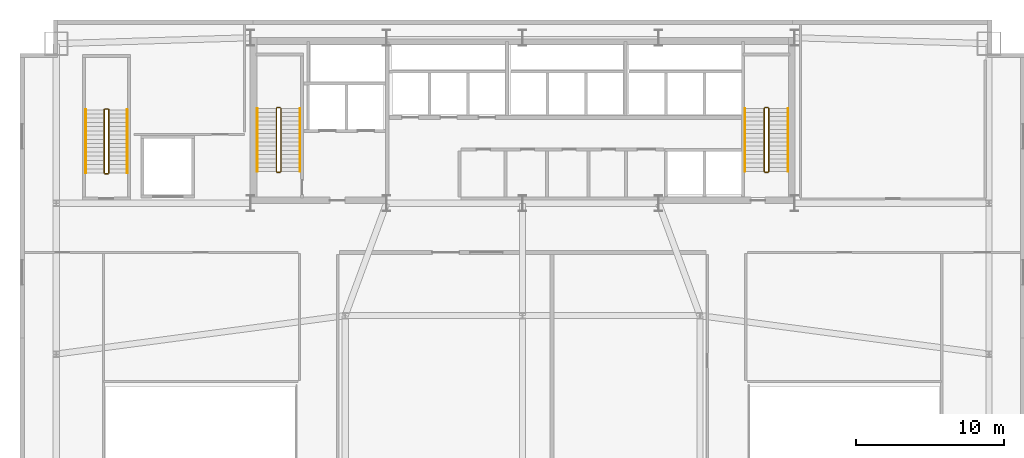
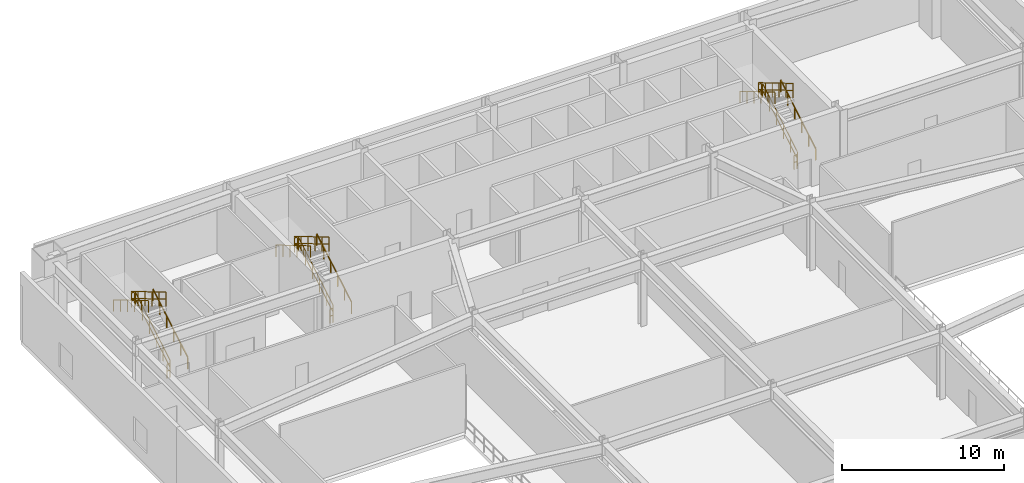
# One storey, part 13 of 13: 18 railings.
"""IFC4 building model written with IfcOpenShell, lengths in metres."""

from ifc_helpers import new_model, si_unit, direction, frame, origin, origin_2d, place, context, subcontext, project, spatial, rectangle, extrude, material, type_object, element, save


model = new_model("IFC4")

# Units and contexts
model_context = context("Model", 3, precision=1e-05, world=origin(), true_north=direction((0.0, 1.0)))
body_context = subcontext(model_context, "Body", "Model", "MODEL_VIEW")
ifc_project = project(units=[si_unit("LENGTHUNIT", "METRE"), si_unit("AREAUNIT", "SQUARE_METRE"), si_unit("VOLUMEUNIT", "CUBIC_METRE"), si_unit("PLANEANGLEUNIT", "RADIAN"), si_unit("MASSUNIT", "GRAM", prefix="KILO")], contexts=[model_context])

# Site, building, storey
site_placement = place(None, origin())
site = spatial("IfcSite", under=ifc_project, at=site_placement, CompositionType="ELEMENT")
building_placement = place(site_placement, origin())
building = spatial("IfcBuilding", under=site, at=building_placement, Name="Varnel Quay Broadcast Tower", CompositionType="ELEMENT")
storey_placement = place(building_placement, frame((0.0, 0.0, 16.800048828125)))
storey = spatial("IfcBuildingStorey", under=building, at=storey_placement, Name="L03", CompositionType="ELEMENT", Elevation=16.800048828125)

# Railings
ifc_material = material(Name="Painted Steel Guard and Handrail CSA G40.21 350W", Category="steel")
railing_type_1 = type_object("IfcRailingType", Name="Rail_StairGuard1100", PredefinedType="GUARDRAIL", material=ifc_material)
railing_1_placement = place(storey_placement, frame((17.64990234375, 37.75, 0.168701171875)))
element("IfcRailing", 1, at=railing_1_placement, inside=storey, type_object=railing_type_1, Name="L03 ST-01 stair guard 1", PredefinedType="GUARDRAIL", context=body_context, shape_type="SweptSolid", body=[
    extrude(rectangle(XDim=0.048095703125, YDim=0.048095703125, at=origin_2d()), frame((0.0, 0.0, 1.076171875), z_axis=(0.0, 0.860470286479, 0.509500624227), x_axis=(-1.0, 0.0, 0.0)), (0.0, 0.0, 1.0), 4.968017578125),
    extrude(rectangle(XDim=0.048095703125, YDim=0.048095703125, at=origin_2d()), frame((0.0, 0.0, 0.550048828125), z_axis=(0.0, 0.860470286479, 0.509500624227), x_axis=(-1.0, 0.0, 0.0)), (0.0, 0.0, 1.0), 4.968017578125),
    extrude(rectangle(XDim=0.0419921875, YDim=0.0419921875, at=origin_2d()), origin(), (0.0, 0.0, 1.0), 1.052001953125),
    extrude(rectangle(XDim=0.0419921875, YDim=0.0419921875, at=origin_2d()), frame((0.0, 0.85498046875, 0.50634765625)), (0.0, 0.0, 1.0), 1.052001953125),
    extrude(rectangle(XDim=0.0419921875, YDim=0.0419921875, at=origin_2d()), frame((0.0, 1.7099609375, 1.012451171875)), (0.0, 0.0, 1.0), 1.052001953125),
    extrude(rectangle(XDim=0.0419921875, YDim=0.0419921875, at=origin_2d()), frame((0.0, 2.56494140625, 1.518798828125)), (0.0, 0.0, 1.0), 1.052001953125),
    extrude(rectangle(XDim=0.0419921875, YDim=0.0419921875, at=origin_2d()), frame((0.0, 3.419921875, 2.02490234375)), (0.0, 0.0, 1.0), 1.052001953125),
    extrude(rectangle(XDim=0.0419921875, YDim=0.0419921875, at=origin_2d()), frame((0.0, 4.27490234375, 2.53125)), (0.0, 0.0, 1.0), 1.052001953125),
])
railing_2_placement = place(storey_placement, frame((17.60009765625, 42.074951171875, 2.699951171875)))
element("IfcRailing", 2, at=railing_2_placement, inside=storey, type_object=railing_type_1, Name="L03 ST-01 stair guard 2", PredefinedType="GUARDRAIL", context=body_context, shape_type="SweptSolid", body=[
    extrude(rectangle(XDim=0.048095703125, YDim=0.048095703125, at=origin_2d()), frame((0.0, 0.0, 1.076171875), z_axis=(-1.0, 0.0, 0.0), x_axis=(0.0, -1.0, 0.0)), (0.0, 0.0, 1.0), 0.2001953125),
    extrude(rectangle(XDim=0.048095703125, YDim=0.048095703125, at=origin_2d()), frame((0.0, 0.0, 0.550048828125), z_axis=(-1.0, 0.0, 0.0), x_axis=(0.0, -1.0, 0.0)), (0.0, 0.0, 1.0), 0.2001953125),
    extrude(rectangle(XDim=0.0419921875, YDim=0.0419921875, at=origin_2d()), origin(), (0.0, 0.0, 1.0), 1.052001953125),
    extrude(rectangle(XDim=0.0419921875, YDim=0.0419921875, at=origin_2d()), frame((-0.2001953125, 0.0, 0.0)), (0.0, 0.0, 1.0), 1.052001953125),
])
railing_3_placement = place(storey_placement, frame((17.35009765625, 42.02490234375, 2.86865234375)))
element("IfcRailing", 3, at=railing_3_placement, inside=storey, type_object=railing_type_1, Name="L03 ST-01 stair guard 3", PredefinedType="GUARDRAIL", context=body_context, shape_type="SweptSolid", body=[
    extrude(rectangle(XDim=0.048095703125, YDim=0.048095703125, at=origin_2d()), frame((0.0, 0.0, 1.076171875), z_axis=(0.0, -0.860470286479, 0.509500624227), x_axis=(1.0, 0.0, 0.0)), (0.0, 0.0, 1.0), 4.968017578125),
    extrude(rectangle(XDim=0.048095703125, YDim=0.048095703125, at=origin_2d()), frame((0.0, 0.0, 0.550048828125), z_axis=(0.0, -0.860470286479, 0.509500624227), x_axis=(1.0, 0.0, 0.0)), (0.0, 0.0, 1.0), 4.968017578125),
    extrude(rectangle(XDim=0.0419921875, YDim=0.0419921875, at=origin_2d()), origin(), (0.0, 0.0, 1.0), 1.052001953125),
    extrude(rectangle(XDim=0.0419921875, YDim=0.0419921875, at=origin_2d()), frame((0.0, -0.85498046875, 0.50634765625)), (0.0, 0.0, 1.0), 1.052001953125),
    extrude(rectangle(XDim=0.0419921875, YDim=0.0419921875, at=origin_2d()), frame((0.0, -1.7099609375, 1.012451171875)), (0.0, 0.0, 1.0), 1.052001953125),
    extrude(rectangle(XDim=0.0419921875, YDim=0.0419921875, at=origin_2d()), frame((0.0, -2.56494140625, 1.518798828125)), (0.0, 0.0, 1.0), 1.052001953125),
    extrude(rectangle(XDim=0.0419921875, YDim=0.0419921875, at=origin_2d()), frame((0.0, -3.419921875, 2.02490234375)), (0.0, 0.0, 1.0), 1.052001953125),
    extrude(rectangle(XDim=0.0419921875, YDim=0.0419921875, at=origin_2d()), frame((0.0, -4.27490234375, 2.53125)), (0.0, 0.0, 1.0), 1.052001953125),
])
railing_4_placement = place(storey_placement, frame((17.60009765625, 37.699951171875, 0.0)))
element("IfcRailing", 4, at=railing_4_placement, inside=storey, type_object=railing_type_1, Name="L03 ST-01 stair guard 4", PredefinedType="GUARDRAIL", context=body_context, shape_type="SweptSolid", body=[
    extrude(rectangle(XDim=0.048095703125, YDim=0.048095703125, at=origin_2d()), frame((0.0, 0.0, 1.076171875), z_axis=(-1.0, 0.0, 0.0), x_axis=(0.0, -1.0, 0.0)), (0.0, 0.0, 1.0), 0.2001953125),
    extrude(rectangle(XDim=0.048095703125, YDim=0.048095703125, at=origin_2d()), frame((0.0, 0.0, 0.550048828125), z_axis=(-1.0, 0.0, 0.0), x_axis=(0.0, -1.0, 0.0)), (0.0, 0.0, 1.0), 0.2001953125),
    extrude(rectangle(XDim=0.0419921875, YDim=0.0419921875, at=origin_2d()), origin(), (0.0, 0.0, 1.0), 1.052001953125),
    extrude(rectangle(XDim=0.0419921875, YDim=0.0419921875, at=origin_2d()), frame((-0.2001953125, 0.0, 0.0)), (0.0, 0.0, 1.0), 1.052001953125),
])
railing_5_placement = place(storey_placement, frame((50.64990234375, 37.75, 0.168701171875)))
element("IfcRailing", 5, at=railing_5_placement, inside=storey, type_object=railing_type_1, Name="L03 ST-02 stair guard 1", PredefinedType="GUARDRAIL", context=body_context, shape_type="SweptSolid", body=[
    extrude(rectangle(XDim=0.048095703125, YDim=0.048095703125, at=origin_2d()), frame((0.0, 0.0, 1.076171875), z_axis=(0.0, 0.860470286479, 0.509500624227), x_axis=(-1.0, 0.0, 0.0)), (0.0, 0.0, 1.0), 4.968017578125),
    extrude(rectangle(XDim=0.048095703125, YDim=0.048095703125, at=origin_2d()), frame((0.0, 0.0, 0.550048828125), z_axis=(0.0, 0.860470286479, 0.509500624227), x_axis=(-1.0, 0.0, 0.0)), (0.0, 0.0, 1.0), 4.968017578125),
    extrude(rectangle(XDim=0.0419921875, YDim=0.0419921875, at=origin_2d()), origin(), (0.0, 0.0, 1.0), 1.052001953125),
    extrude(rectangle(XDim=0.0419921875, YDim=0.0419921875, at=origin_2d()), frame((0.0, 0.85498046875, 0.50634765625)), (0.0, 0.0, 1.0), 1.052001953125),
    extrude(rectangle(XDim=0.0419921875, YDim=0.0419921875, at=origin_2d()), frame((0.0, 1.7099609375, 1.012451171875)), (0.0, 0.0, 1.0), 1.052001953125),
    extrude(rectangle(XDim=0.0419921875, YDim=0.0419921875, at=origin_2d()), frame((0.0, 2.56494140625, 1.518798828125)), (0.0, 0.0, 1.0), 1.052001953125),
    extrude(rectangle(XDim=0.0419921875, YDim=0.0419921875, at=origin_2d()), frame((0.0, 3.419921875, 2.02490234375)), (0.0, 0.0, 1.0), 1.052001953125),
    extrude(rectangle(XDim=0.0419921875, YDim=0.0419921875, at=origin_2d()), frame((0.0, 4.27490234375, 2.53125)), (0.0, 0.0, 1.0), 1.052001953125),
])
railing_6_placement = place(storey_placement, frame((50.60009765625, 42.074951171875, 2.699951171875)))
element("IfcRailing", 6, at=railing_6_placement, inside=storey, type_object=railing_type_1, Name="L03 ST-02 stair guard 2", PredefinedType="GUARDRAIL", context=body_context, shape_type="SweptSolid", body=[
    extrude(rectangle(XDim=0.048095703125, YDim=0.048095703125, at=origin_2d()), frame((0.0, 0.0, 1.076171875), z_axis=(-1.0, 0.0, 0.0), x_axis=(0.0, -1.0, 0.0)), (0.0, 0.0, 1.0), 0.2001953125),
    extrude(rectangle(XDim=0.048095703125, YDim=0.048095703125, at=origin_2d()), frame((0.0, 0.0, 0.550048828125), z_axis=(-1.0, 0.0, 0.0), x_axis=(0.0, -1.0, 0.0)), (0.0, 0.0, 1.0), 0.2001953125),
    extrude(rectangle(XDim=0.0419921875, YDim=0.0419921875, at=origin_2d()), origin(), (0.0, 0.0, 1.0), 1.052001953125),
    extrude(rectangle(XDim=0.0419921875, YDim=0.0419921875, at=origin_2d()), frame((-0.2001953125, 0.0, 0.0)), (0.0, 0.0, 1.0), 1.052001953125),
])
railing_7_placement = place(storey_placement, frame((50.35009765625, 42.02490234375, 2.86865234375)))
element("IfcRailing", 7, at=railing_7_placement, inside=storey, type_object=railing_type_1, Name="L03 ST-02 stair guard 3", PredefinedType="GUARDRAIL", context=body_context, shape_type="SweptSolid", body=[
    extrude(rectangle(XDim=0.048095703125, YDim=0.048095703125, at=origin_2d()), frame((0.0, 0.0, 1.076171875), z_axis=(0.0, -0.860470286479, 0.509500624227), x_axis=(1.0, 0.0, 0.0)), (0.0, 0.0, 1.0), 4.968017578125),
    extrude(rectangle(XDim=0.048095703125, YDim=0.048095703125, at=origin_2d()), frame((0.0, 0.0, 0.550048828125), z_axis=(0.0, -0.860470286479, 0.509500624227), x_axis=(1.0, 0.0, 0.0)), (0.0, 0.0, 1.0), 4.968017578125),
    extrude(rectangle(XDim=0.0419921875, YDim=0.0419921875, at=origin_2d()), origin(), (0.0, 0.0, 1.0), 1.052001953125),
    extrude(rectangle(XDim=0.0419921875, YDim=0.0419921875, at=origin_2d()), frame((0.0, -0.85498046875, 0.50634765625)), (0.0, 0.0, 1.0), 1.052001953125),
    extrude(rectangle(XDim=0.0419921875, YDim=0.0419921875, at=origin_2d()), frame((0.0, -1.7099609375, 1.012451171875)), (0.0, 0.0, 1.0), 1.052001953125),
    extrude(rectangle(XDim=0.0419921875, YDim=0.0419921875, at=origin_2d()), frame((0.0, -2.56494140625, 1.518798828125)), (0.0, 0.0, 1.0), 1.052001953125),
    extrude(rectangle(XDim=0.0419921875, YDim=0.0419921875, at=origin_2d()), frame((0.0, -3.419921875, 2.02490234375)), (0.0, 0.0, 1.0), 1.052001953125),
    extrude(rectangle(XDim=0.0419921875, YDim=0.0419921875, at=origin_2d()), frame((0.0, -4.27490234375, 2.53125)), (0.0, 0.0, 1.0), 1.052001953125),
])
railing_8_placement = place(storey_placement, frame((50.60009765625, 37.699951171875, 0.0)))
element("IfcRailing", 8, at=railing_8_placement, inside=storey, type_object=railing_type_1, Name="L03 ST-02 stair guard 4", PredefinedType="GUARDRAIL", context=body_context, shape_type="SweptSolid", body=[
    extrude(rectangle(XDim=0.048095703125, YDim=0.048095703125, at=origin_2d()), frame((0.0, 0.0, 1.076171875), z_axis=(-1.0, 0.0, 0.0), x_axis=(0.0, -1.0, 0.0)), (0.0, 0.0, 1.0), 0.2001953125),
    extrude(rectangle(XDim=0.048095703125, YDim=0.048095703125, at=origin_2d()), frame((0.0, 0.0, 0.550048828125), z_axis=(-1.0, 0.0, 0.0), x_axis=(0.0, -1.0, 0.0)), (0.0, 0.0, 1.0), 0.2001953125),
    extrude(rectangle(XDim=0.0419921875, YDim=0.0419921875, at=origin_2d()), origin(), (0.0, 0.0, 1.0), 1.052001953125),
    extrude(rectangle(XDim=0.0419921875, YDim=0.0419921875, at=origin_2d()), frame((-0.2001953125, 0.0, 0.0)), (0.0, 0.0, 1.0), 1.052001953125),
])
railing_9_placement = place(storey_placement, frame((6.0, 37.64990234375, 0.168701171875)))
element("IfcRailing", 9, at=railing_9_placement, inside=storey, type_object=railing_type_1, Name="L03 ST-03 stair guard 1", PredefinedType="GUARDRAIL", context=body_context, shape_type="SweptSolid", body=[
    extrude(rectangle(XDim=0.048095703125, YDim=0.048095703125, at=origin_2d()), frame((0.0, 0.0, 1.076171875), z_axis=(0.0, 0.860483042394, 0.50947908078), x_axis=(-1.0, 0.0, 0.0)), (0.0, 0.0, 1.0), 4.96826171875),
    extrude(rectangle(XDim=0.048095703125, YDim=0.048095703125, at=origin_2d()), frame((0.0, 0.0, 0.550048828125), z_axis=(0.0, 0.860483042394, 0.50947908078), x_axis=(-1.0, 0.0, 0.0)), (0.0, 0.0, 1.0), 4.96826171875),
    extrude(rectangle(XDim=0.0419921875, YDim=0.0419921875, at=origin_2d()), origin(), (0.0, 0.0, 1.0), 1.052001953125),
    extrude(rectangle(XDim=0.0419921875, YDim=0.0419921875, at=origin_2d()), frame((0.0, 0.85498046875, 0.50634765625)), (0.0, 0.0, 1.0), 1.052001953125),
    extrude(rectangle(XDim=0.0419921875, YDim=0.0419921875, at=origin_2d()), frame((0.0, 1.7099609375, 1.012451171875)), (0.0, 0.0, 1.0), 1.052001953125),
    extrude(rectangle(XDim=0.0419921875, YDim=0.0419921875, at=origin_2d()), frame((0.0, 2.565185546875, 1.518798828125)), (0.0, 0.0, 1.0), 1.052001953125),
    extrude(rectangle(XDim=0.0419921875, YDim=0.0419921875, at=origin_2d()), frame((0.0, 3.420166015625, 2.02490234375)), (0.0, 0.0, 1.0), 1.052001953125),
    extrude(rectangle(XDim=0.0419921875, YDim=0.0419921875, at=origin_2d()), frame((0.0, 4.275146484375, 2.53125)), (0.0, 0.0, 1.0), 1.052001953125),
])
railing_10_placement = place(storey_placement, frame((5.949951171875, 41.97509765625, 2.699951171875)))
element("IfcRailing", 10, at=railing_10_placement, inside=storey, type_object=railing_type_1, Name="L03 ST-03 stair guard 2", PredefinedType="GUARDRAIL", context=body_context, shape_type="SweptSolid", body=[
    extrude(rectangle(XDim=0.048095703125, YDim=0.048095703125, at=origin_2d()), frame((0.0, 0.0, 1.076171875), z_axis=(-1.0, 0.0, 0.0), x_axis=(0.0, -1.0, 0.0)), (0.0, 0.0, 1.0), 0.199951171875),
    extrude(rectangle(XDim=0.048095703125, YDim=0.048095703125, at=origin_2d()), frame((0.0, 0.0, 0.550048828125), z_axis=(-1.0, 0.0, 0.0), x_axis=(0.0, -1.0, 0.0)), (0.0, 0.0, 1.0), 0.199951171875),
    extrude(rectangle(XDim=0.0419921875, YDim=0.0419921875, at=origin_2d()), origin(), (0.0, 0.0, 1.0), 1.052001953125),
    extrude(rectangle(XDim=0.0419921875, YDim=0.0419921875, at=origin_2d()), frame((-0.199951171875, 0.0, 0.0)), (0.0, 0.0, 1.0), 1.052001953125),
])
railing_11_placement = place(storey_placement, frame((5.699951171875, 41.925048828125, 2.86865234375)))
element("IfcRailing", 11, at=railing_11_placement, inside=storey, type_object=railing_type_1, Name="L03 ST-03 stair guard 3", PredefinedType="GUARDRAIL", context=body_context, shape_type="SweptSolid", body=[
    extrude(rectangle(XDim=0.048095703125, YDim=0.048095703125, at=origin_2d()), frame((0.0, 0.0, 1.076171875), z_axis=(0.0, -0.860483042394, 0.50947908078), x_axis=(1.0, 0.0, 0.0)), (0.0, 0.0, 1.0), 4.96826171875),
    extrude(rectangle(XDim=0.048095703125, YDim=0.048095703125, at=origin_2d()), frame((0.0, 0.0, 0.550048828125), z_axis=(0.0, -0.860483042394, 0.50947908078), x_axis=(1.0, 0.0, 0.0)), (0.0, 0.0, 1.0), 4.96826171875),
    extrude(rectangle(XDim=0.0419921875, YDim=0.0419921875, at=origin_2d()), origin(), (0.0, 0.0, 1.0), 1.052001953125),
    extrude(rectangle(XDim=0.0419921875, YDim=0.0419921875, at=origin_2d()), frame((0.0, -0.85498046875, 0.50634765625)), (0.0, 0.0, 1.0), 1.052001953125),
    extrude(rectangle(XDim=0.0419921875, YDim=0.0419921875, at=origin_2d()), frame((0.0, -1.7099609375, 1.012451171875)), (0.0, 0.0, 1.0), 1.052001953125),
    extrude(rectangle(XDim=0.0419921875, YDim=0.0419921875, at=origin_2d()), frame((0.0, -2.565185546875, 1.518798828125)), (0.0, 0.0, 1.0), 1.052001953125),
    extrude(rectangle(XDim=0.0419921875, YDim=0.0419921875, at=origin_2d()), frame((0.0, -3.420166015625, 2.02490234375)), (0.0, 0.0, 1.0), 1.052001953125),
    extrude(rectangle(XDim=0.0419921875, YDim=0.0419921875, at=origin_2d()), frame((0.0, -4.275146484375, 2.53125)), (0.0, 0.0, 1.0), 1.052001953125),
])
railing_12_placement = place(storey_placement, frame((5.949951171875, 37.60009765625, 0.0)))
element("IfcRailing", 12, at=railing_12_placement, inside=storey, type_object=railing_type_1, Name="L03 ST-03 stair guard 4", PredefinedType="GUARDRAIL", context=body_context, shape_type="SweptSolid", body=[
    extrude(rectangle(XDim=0.048095703125, YDim=0.048095703125, at=origin_2d()), frame((0.0, 0.0, 1.076171875), z_axis=(-1.0, 0.0, 0.0), x_axis=(0.0, -1.0, 0.0)), (0.0, 0.0, 1.0), 0.199951171875),
    extrude(rectangle(XDim=0.048095703125, YDim=0.048095703125, at=origin_2d()), frame((0.0, 0.0, 0.550048828125), z_axis=(-1.0, 0.0, 0.0), x_axis=(0.0, -1.0, 0.0)), (0.0, 0.0, 1.0), 0.199951171875),
    extrude(rectangle(XDim=0.0419921875, YDim=0.0419921875, at=origin_2d()), origin(), (0.0, 0.0, 1.0), 1.052001953125),
    extrude(rectangle(XDim=0.0419921875, YDim=0.0419921875, at=origin_2d()), frame((-0.199951171875, 0.0, 0.0)), (0.0, 0.0, 1.0), 1.052001953125),
])
railing_type_2 = type_object("IfcRailingType", Name="Rail_StairHandrail900", PredefinedType="HANDRAIL", material=ifc_material)
railing_13_placement = place(storey_placement, frame((18.949951171875, 37.75, 0.168701171875)))
element("IfcRailing", 13, at=railing_13_placement, inside=storey, type_object=railing_type_2, Name="L03 ST-01 stair handrail 1", PredefinedType="HANDRAIL", context=body_context, shape_type="SweptSolid", body=[
    extrude(rectangle(XDim=0.048095703125, YDim=0.048095703125, at=origin_2d()), frame((0.0, 0.0, 0.8759765625), z_axis=(0.0, 0.860470286479, 0.509500624227), x_axis=(-1.0, 0.0, 0.0)), (0.0, 0.0, 1.0), 4.968017578125),
    extrude(rectangle(XDim=0.0419921875, YDim=0.0419921875, at=origin_2d()), origin(), (0.0, 0.0, 1.0), 0.851806640625),
    extrude(rectangle(XDim=0.0419921875, YDim=0.0419921875, at=origin_2d()), frame((0.0, 0.85498046875, 0.50634765625)), (0.0, 0.0, 1.0), 0.851806640625),
    extrude(rectangle(XDim=0.0419921875, YDim=0.0419921875, at=origin_2d()), frame((0.0, 1.7099609375, 1.012451171875)), (0.0, 0.0, 1.0), 0.851806640625),
    extrude(rectangle(XDim=0.0419921875, YDim=0.0419921875, at=origin_2d()), frame((0.0, 2.56494140625, 1.518798828125)), (0.0, 0.0, 1.0), 0.851806640625),
    extrude(rectangle(XDim=0.0419921875, YDim=0.0419921875, at=origin_2d()), frame((0.0, 3.419921875, 2.02490234375)), (0.0, 0.0, 1.0), 0.851806640625),
    extrude(rectangle(XDim=0.0419921875, YDim=0.0419921875, at=origin_2d()), frame((0.0, 4.27490234375, 2.53125)), (0.0, 0.0, 1.0), 0.851806640625),
])
railing_14_placement = place(storey_placement, frame((16.050048828125, 42.02490234375, 2.86865234375)))
element("IfcRailing", 14, at=railing_14_placement, inside=storey, type_object=railing_type_2, Name="L03 ST-01 stair handrail 2", PredefinedType="HANDRAIL", context=body_context, shape_type="SweptSolid", body=[
    extrude(rectangle(XDim=0.048095703125, YDim=0.048095703125, at=origin_2d()), frame((0.0, 0.0, 0.8759765625), z_axis=(0.0, -0.860470286479, 0.509500624227), x_axis=(1.0, 0.0, 0.0)), (0.0, 0.0, 1.0), 4.968017578125),
    extrude(rectangle(XDim=0.0419921875, YDim=0.0419921875, at=origin_2d()), origin(), (0.0, 0.0, 1.0), 0.851806640625),
    extrude(rectangle(XDim=0.0419921875, YDim=0.0419921875, at=origin_2d()), frame((0.0, -0.85498046875, 0.50634765625)), (0.0, 0.0, 1.0), 0.851806640625),
    extrude(rectangle(XDim=0.0419921875, YDim=0.0419921875, at=origin_2d()), frame((0.0, -1.7099609375, 1.012451171875)), (0.0, 0.0, 1.0), 0.851806640625),
    extrude(rectangle(XDim=0.0419921875, YDim=0.0419921875, at=origin_2d()), frame((0.0, -2.56494140625, 1.518798828125)), (0.0, 0.0, 1.0), 0.851806640625),
    extrude(rectangle(XDim=0.0419921875, YDim=0.0419921875, at=origin_2d()), frame((0.0, -3.419921875, 2.02490234375)), (0.0, 0.0, 1.0), 0.851806640625),
    extrude(rectangle(XDim=0.0419921875, YDim=0.0419921875, at=origin_2d()), frame((0.0, -4.27490234375, 2.53125)), (0.0, 0.0, 1.0), 0.851806640625),
])
railing_15_placement = place(storey_placement, frame((51.949951171875, 37.75, 0.168701171875)))
element("IfcRailing", 15, at=railing_15_placement, inside=storey, type_object=railing_type_2, Name="L03 ST-02 stair handrail 1", PredefinedType="HANDRAIL", context=body_context, shape_type="SweptSolid", body=[
    extrude(rectangle(XDim=0.048095703125, YDim=0.048095703125, at=origin_2d()), frame((0.0, 0.0, 0.8759765625), z_axis=(0.0, 0.860470286479, 0.509500624227), x_axis=(-1.0, 0.0, 0.0)), (0.0, 0.0, 1.0), 4.968017578125),
    extrude(rectangle(XDim=0.0419921875, YDim=0.0419921875, at=origin_2d()), origin(), (0.0, 0.0, 1.0), 0.851806640625),
    extrude(rectangle(XDim=0.0419921875, YDim=0.0419921875, at=origin_2d()), frame((0.0, 0.85498046875, 0.50634765625)), (0.0, 0.0, 1.0), 0.851806640625),
    extrude(rectangle(XDim=0.0419921875, YDim=0.0419921875, at=origin_2d()), frame((0.0, 1.7099609375, 1.012451171875)), (0.0, 0.0, 1.0), 0.851806640625),
    extrude(rectangle(XDim=0.0419921875, YDim=0.0419921875, at=origin_2d()), frame((0.0, 2.56494140625, 1.518798828125)), (0.0, 0.0, 1.0), 0.851806640625),
    extrude(rectangle(XDim=0.0419921875, YDim=0.0419921875, at=origin_2d()), frame((0.0, 3.419921875, 2.02490234375)), (0.0, 0.0, 1.0), 0.851806640625),
    extrude(rectangle(XDim=0.0419921875, YDim=0.0419921875, at=origin_2d()), frame((0.0, 4.27490234375, 2.53125)), (0.0, 0.0, 1.0), 0.851806640625),
])
railing_16_placement = place(storey_placement, frame((49.050048828125, 42.02490234375, 2.86865234375)))
element("IfcRailing", 16, at=railing_16_placement, inside=storey, type_object=railing_type_2, Name="L03 ST-02 stair handrail 2", PredefinedType="HANDRAIL", context=body_context, shape_type="SweptSolid", body=[
    extrude(rectangle(XDim=0.048095703125, YDim=0.048095703125, at=origin_2d()), frame((0.0, 0.0, 0.8759765625), z_axis=(0.0, -0.860470286479, 0.509500624227), x_axis=(1.0, 0.0, 0.0)), (0.0, 0.0, 1.0), 4.968017578125),
    extrude(rectangle(XDim=0.0419921875, YDim=0.0419921875, at=origin_2d()), origin(), (0.0, 0.0, 1.0), 0.851806640625),
    extrude(rectangle(XDim=0.0419921875, YDim=0.0419921875, at=origin_2d()), frame((0.0, -0.85498046875, 0.50634765625)), (0.0, 0.0, 1.0), 0.851806640625),
    extrude(rectangle(XDim=0.0419921875, YDim=0.0419921875, at=origin_2d()), frame((0.0, -1.7099609375, 1.012451171875)), (0.0, 0.0, 1.0), 0.851806640625),
    extrude(rectangle(XDim=0.0419921875, YDim=0.0419921875, at=origin_2d()), frame((0.0, -2.56494140625, 1.518798828125)), (0.0, 0.0, 1.0), 0.851806640625),
    extrude(rectangle(XDim=0.0419921875, YDim=0.0419921875, at=origin_2d()), frame((0.0, -3.419921875, 2.02490234375)), (0.0, 0.0, 1.0), 0.851806640625),
    extrude(rectangle(XDim=0.0419921875, YDim=0.0419921875, at=origin_2d()), frame((0.0, -4.27490234375, 2.53125)), (0.0, 0.0, 1.0), 0.851806640625),
])
railing_17_placement = place(storey_placement, frame((7.25, 37.64990234375, 0.168701171875)))
element("IfcRailing", 17, at=railing_17_placement, inside=storey, type_object=railing_type_2, Name="L03 ST-03 stair handrail 1", PredefinedType="HANDRAIL", context=body_context, shape_type="SweptSolid", body=[
    extrude(rectangle(XDim=0.048095703125, YDim=0.048095703125, at=origin_2d()), frame((0.0, 0.0, 0.8759765625), z_axis=(0.0, 0.860483042394, 0.50947908078), x_axis=(-1.0, 0.0, 0.0)), (0.0, 0.0, 1.0), 4.96826171875),
    extrude(rectangle(XDim=0.0419921875, YDim=0.0419921875, at=origin_2d()), origin(), (0.0, 0.0, 1.0), 0.851806640625),
    extrude(rectangle(XDim=0.0419921875, YDim=0.0419921875, at=origin_2d()), frame((0.0, 0.85498046875, 0.50634765625)), (0.0, 0.0, 1.0), 0.851806640625),
    extrude(rectangle(XDim=0.0419921875, YDim=0.0419921875, at=origin_2d()), frame((0.0, 1.7099609375, 1.012451171875)), (0.0, 0.0, 1.0), 0.851806640625),
    extrude(rectangle(XDim=0.0419921875, YDim=0.0419921875, at=origin_2d()), frame((0.0, 2.565185546875, 1.518798828125)), (0.0, 0.0, 1.0), 0.851806640625),
    extrude(rectangle(XDim=0.0419921875, YDim=0.0419921875, at=origin_2d()), frame((0.0, 3.420166015625, 2.02490234375)), (0.0, 0.0, 1.0), 0.851806640625),
    extrude(rectangle(XDim=0.0419921875, YDim=0.0419921875, at=origin_2d()), frame((0.0, 4.275146484375, 2.53125)), (0.0, 0.0, 1.0), 0.851806640625),
])
railing_18_placement = place(storey_placement, frame((4.449951171875, 41.925048828125, 2.86865234375)))
element("IfcRailing", 18, at=railing_18_placement, inside=storey, type_object=railing_type_2, Name="L03 ST-03 stair handrail 2", PredefinedType="HANDRAIL", context=body_context, shape_type="SweptSolid", body=[
    extrude(rectangle(XDim=0.048095703125, YDim=0.048095703125, at=origin_2d()), frame((0.0, 0.0, 0.8759765625), z_axis=(0.0, -0.860483042394, 0.50947908078), x_axis=(1.0, 0.0, 0.0)), (0.0, 0.0, 1.0), 4.96826171875),
    extrude(rectangle(XDim=0.0419921875, YDim=0.0419921875, at=origin_2d()), origin(), (0.0, 0.0, 1.0), 0.851806640625),
    extrude(rectangle(XDim=0.0419921875, YDim=0.0419921875, at=origin_2d()), frame((0.0, -0.85498046875, 0.50634765625)), (0.0, 0.0, 1.0), 0.851806640625),
    extrude(rectangle(XDim=0.0419921875, YDim=0.0419921875, at=origin_2d()), frame((0.0, -1.7099609375, 1.012451171875)), (0.0, 0.0, 1.0), 0.851806640625),
    extrude(rectangle(XDim=0.0419921875, YDim=0.0419921875, at=origin_2d()), frame((0.0, -2.565185546875, 1.518798828125)), (0.0, 0.0, 1.0), 0.851806640625),
    extrude(rectangle(XDim=0.0419921875, YDim=0.0419921875, at=origin_2d()), frame((0.0, -3.420166015625, 2.02490234375)), (0.0, 0.0, 1.0), 0.851806640625),
    extrude(rectangle(XDim=0.0419921875, YDim=0.0419921875, at=origin_2d()), frame((0.0, -4.275146484375, 2.53125)), (0.0, 0.0, 1.0), 0.851806640625),
])

save(model, "model.ifc")
